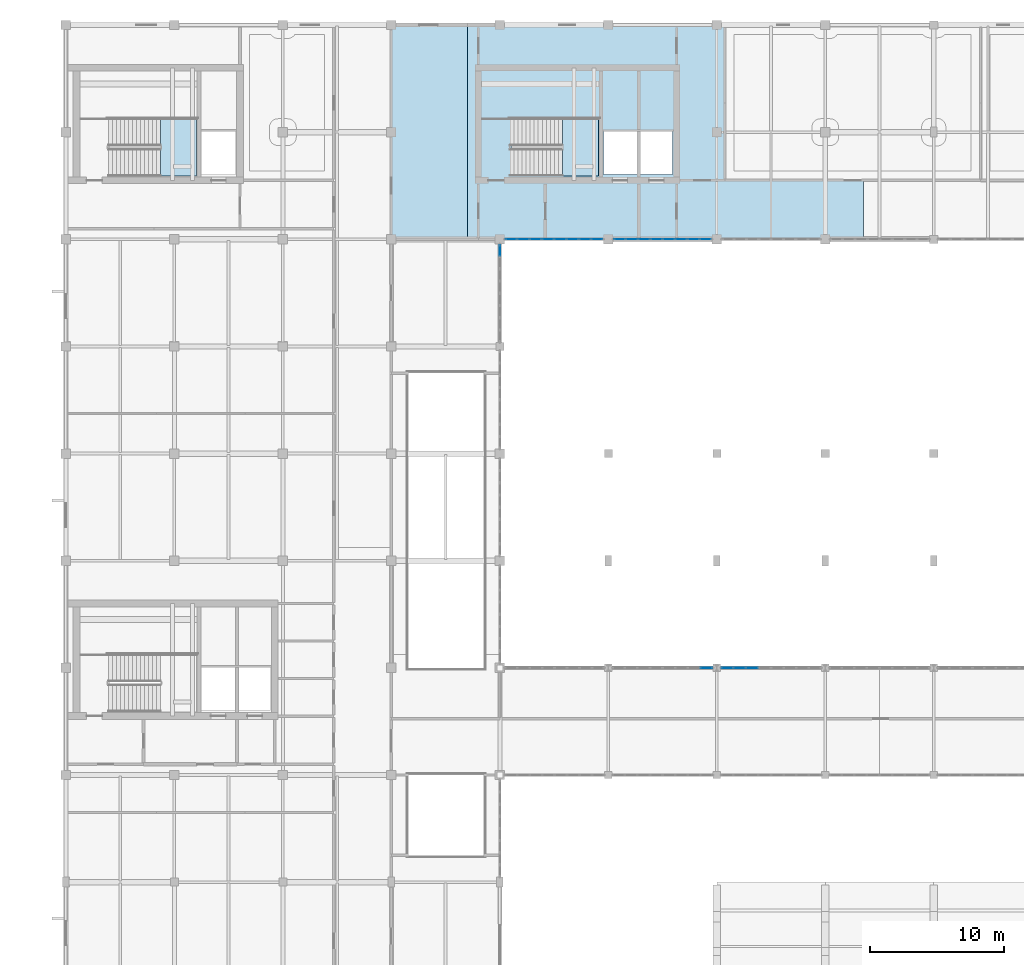
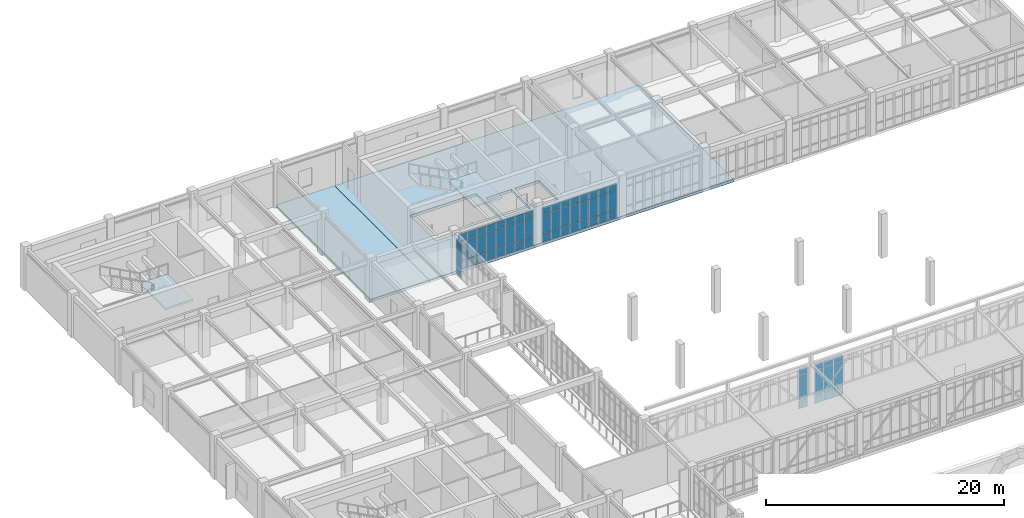
# One storey, part 41 of 67: 63 plates, 4 slabs, 7 elements without a shape of their own.
"""IFC4 building model written with IfcOpenShell, lengths in metres."""

from ifc_helpers import new_model, si_unit, direction, frame, origin, origin_2d, place, context, subcontext, project, spatial, polyline, rectangle, outline, extrude, material, layer, layer_set, type_object, element, aggregate, save


model = new_model("IFC4")

# Units and contexts
model_context = context("Model", 3, precision=1e-05, world=origin(), true_north=direction((0.0, 1.0)))
body_context = subcontext(model_context, "Body", "Model", "MODEL_VIEW")
ifc_project = project(units=[si_unit("LENGTHUNIT", "METRE"), si_unit("AREAUNIT", "SQUARE_METRE"), si_unit("VOLUMEUNIT", "CUBIC_METRE"), si_unit("PLANEANGLEUNIT", "RADIAN"), si_unit("MASSUNIT", "GRAM", prefix="KILO")], contexts=[model_context])

# Site, building, storey
site_placement = place(None, origin())
site = spatial("IfcSite", under=ifc_project, at=site_placement, CompositionType="ELEMENT")
building_placement = place(site_placement, origin())
building = spatial("IfcBuilding", under=site, at=building_placement, Name="Tarnveldt Square Police Headquarters", CompositionType="ELEMENT")
storey_placement = place(building_placement, frame((0.0, 0.0, 10.199951171875)))
storey = spatial("IfcBuildingStorey", under=building, at=storey_placement, Name="L02", CompositionType="ELEMENT", Elevation=10.199951171875)

# Curtain wall, plates
ifc_material_1 = material(Name="Triple-glazed low-e laminated vision glass", Category="glass")
curtain_wall_type_1 = type_object("IfcCurtainWallType", Name="CW-WG-732x373", PredefinedType="USERDEFINED", material=ifc_material_1)
curtain_wall_1_placement = place(storey_placement, origin())
curtain_wall_1 = element("IfcCurtainWall", 1, at=curtain_wall_1_placement, inside=storey, type_object=curtain_wall_type_1, Name="L02 Curtain Wall CW-L02-077", ObjectType="GLAZED CURTAIN WALL", PredefinedType="USERDEFINED")
ifc_layer_1 = layer(ifc_material_1, 0.028076171875)
ifc_layer_set_1 = layer_set([ifc_layer_1], Name="Triple-glazed low-e laminated vision glass")
plate_type = type_object("IfcPlateType", Name="CWP-VIS-28", PredefinedType="CURTAIN_PANEL", material=ifc_layer_set_1)
plate_1_placement = place(storey_placement, frame((48.60009765625, 95.15869140625, 0.074951171875), z_axis=(0.0, 0.0, 1.0), x_axis=(0.0, 1.0, 0.0)))
plate_1 = element("IfcPlate", 2, at=plate_1_placement, type_object=plate_type, Name="CW-WG37 panel 8.1", PredefinedType="CURTAIN_PANEL", context=body_context, shape_type="SweptSolid", body=[
    extrude(rectangle(XDim=0.802490234375, YDim=0.028076171875, at=origin_2d()), origin(), (0.0, 0.0, 1.0), 0.78759765625),
])
plate_2_placement = place(storey_placement, frame((48.60009765625, 95.15869140625, 0.9375), z_axis=(0.0, 0.0, 1.0), x_axis=(0.0, 1.0, 0.0)))
plate_2 = element("IfcPlate", 3, at=plate_2_placement, type_object=plate_type, Name="CW-WG37 panel 8.2", PredefinedType="CURTAIN_PANEL", context=body_context, shape_type="SweptSolid", body=[
    extrude(rectangle(XDim=0.802490234375, YDim=0.028076171875, at=origin_2d()), origin(), (0.0, 0.0, 1.0), 2.007080078125),
])
plate_3_placement = place(storey_placement, frame((48.60009765625, 95.15869140625, 3.01953125), z_axis=(0.0, 0.0, 1.0), x_axis=(0.0, 1.0, 0.0)))
plate_3 = element("IfcPlate", 4, at=plate_3_placement, type_object=plate_type, Name="CW-WG37 panel 8.3", PredefinedType="CURTAIN_PANEL", context=body_context, shape_type="SweptSolid", body=[
    extrude(rectangle(XDim=0.802490234375, YDim=0.028076171875, at=origin_2d()), origin(), (0.0, 0.0, 1.0), 0.637451171875),
])
aggregate(curtain_wall_1, [plate_1, plate_2, plate_3])

curtain_wall_type_2 = type_object("IfcCurtainWallType", Name="CW-LB-737x370", PredefinedType="USERDEFINED", material=ifc_material_1)
curtain_wall_2_placement = place(storey_placement, origin())
curtain_wall_2 = element("IfcCurtainWall", 5, at=curtain_wall_2_placement, inside=storey, type_object=curtain_wall_type_2, Name="L02 Curtain Wall CW-L02-112", ObjectType="GLAZED CURTAIN WALL", PredefinedType="USERDEFINED")
plate_4_placement = place(storey_placement, frame((49.4443359375, 96.0, 0.06494140625), z_axis=(0.0, 0.0, 1.0), x_axis=(1.0, 0.0, 0.0)))
plate_4 = element("IfcPlate", 6, at=plate_4_placement, type_object=plate_type, Name="CW-LB65 panel 1.1", PredefinedType="CURTAIN_PANEL", context=body_context, shape_type="SweptSolid", body=[
    extrude(rectangle(XDim=0.808837890625, YDim=0.028076171875, at=origin_2d()), origin(), (0.0, 0.0, 1.0), 0.802490234375),
])
plate_5_placement = place(storey_placement, frame((49.4443359375, 96.0, 0.9326171875), z_axis=(0.0, 0.0, 1.0), x_axis=(1.0, 0.0, 0.0)))
plate_5 = element("IfcPlate", 7, at=plate_5_placement, type_object=plate_type, Name="CW-LB65 panel 1.2", PredefinedType="CURTAIN_PANEL", context=body_context, shape_type="SweptSolid", body=[
    extrude(rectangle(XDim=0.808837890625, YDim=0.028076171875, at=origin_2d()), origin(), (0.0, 0.0, 1.0), 1.98388671875),
])
plate_6_placement = place(storey_placement, frame((49.4443359375, 96.0, 2.9814453125), z_axis=(0.0, 0.0, 1.0), x_axis=(1.0, 0.0, 0.0)))
plate_6 = element("IfcPlate", 8, at=plate_6_placement, type_object=plate_type, Name="CW-LB65 panel 1.3", PredefinedType="CURTAIN_PANEL", context=body_context, shape_type="SweptSolid", body=[
    extrude(rectangle(XDim=0.808837890625, YDim=0.028076171875, at=origin_2d()), origin(), (0.0, 0.0, 1.0), 0.652587890625),
])
plate_7_placement = place(storey_placement, frame((50.346923828125, 96.0, 0.06494140625), z_axis=(0.0, 0.0, 1.0), x_axis=(1.0, 0.0, 0.0)))
plate_7 = element("IfcPlate", 9, at=plate_7_placement, type_object=plate_type, Name="CW-LB65 panel 2.1", PredefinedType="CURTAIN_PANEL", context=body_context, shape_type="SweptSolid", body=[
    extrude(rectangle(XDim=0.84619140625, YDim=0.028076171875, at=origin_2d()), origin(), (0.0, 0.0, 1.0), 0.802490234375),
])
plate_8_placement = place(storey_placement, frame((50.346923828125, 96.0, 0.9326171875), z_axis=(0.0, 0.0, 1.0), x_axis=(1.0, 0.0, 0.0)))
plate_8 = element("IfcPlate", 10, at=plate_8_placement, type_object=plate_type, Name="CW-LB65 panel 2.2", PredefinedType="CURTAIN_PANEL", context=body_context, shape_type="SweptSolid", body=[
    extrude(rectangle(XDim=0.84619140625, YDim=0.028076171875, at=origin_2d()), origin(), (0.0, 0.0, 1.0), 1.98388671875),
])
plate_9_placement = place(storey_placement, frame((50.346923828125, 96.0, 2.9814453125), z_axis=(0.0, 0.0, 1.0), x_axis=(1.0, 0.0, 0.0)))
plate_9 = element("IfcPlate", 11, at=plate_9_placement, type_object=plate_type, Name="CW-LB65 panel 2.3", PredefinedType="CURTAIN_PANEL", context=body_context, shape_type="SweptSolid", body=[
    extrude(rectangle(XDim=0.84619140625, YDim=0.028076171875, at=origin_2d()), origin(), (0.0, 0.0, 1.0), 0.652587890625),
])
plate_10_placement = place(storey_placement, frame((51.26806640625, 96.0, 0.06494140625), z_axis=(0.0, 0.0, 1.0), x_axis=(1.0, 0.0, 0.0)))
plate_10 = element("IfcPlate", 12, at=plate_10_placement, type_object=plate_type, Name="CW-LB65 panel 3.1", PredefinedType="CURTAIN_PANEL", context=body_context, shape_type="SweptSolid", body=[
    extrude(rectangle(XDim=0.84619140625, YDim=0.028076171875, at=origin_2d()), origin(), (0.0, 0.0, 1.0), 0.802490234375),
])
plate_11_placement = place(storey_placement, frame((51.26806640625, 96.0, 0.9326171875), z_axis=(0.0, 0.0, 1.0), x_axis=(1.0, 0.0, 0.0)))
plate_11 = element("IfcPlate", 13, at=plate_11_placement, type_object=plate_type, Name="CW-LB65 panel 3.2", PredefinedType="CURTAIN_PANEL", context=body_context, shape_type="SweptSolid", body=[
    extrude(rectangle(XDim=0.84619140625, YDim=0.028076171875, at=origin_2d()), origin(), (0.0, 0.0, 1.0), 1.98388671875),
])
plate_12_placement = place(storey_placement, frame((51.26806640625, 96.0, 2.9814453125), z_axis=(0.0, 0.0, 1.0), x_axis=(1.0, 0.0, 0.0)))
plate_12 = element("IfcPlate", 14, at=plate_12_placement, type_object=plate_type, Name="CW-LB65 panel 3.3", PredefinedType="CURTAIN_PANEL", context=body_context, shape_type="SweptSolid", body=[
    extrude(rectangle(XDim=0.84619140625, YDim=0.028076171875, at=origin_2d()), origin(), (0.0, 0.0, 1.0), 0.652587890625),
])
plate_13_placement = place(storey_placement, frame((52.189453125, 96.0, 0.06494140625), z_axis=(0.0, 0.0, 1.0), x_axis=(1.0, 0.0, 0.0)))
plate_13 = element("IfcPlate", 15, at=plate_13_placement, type_object=plate_type, Name="CW-LB65 panel 4.1", PredefinedType="CURTAIN_PANEL", context=body_context, shape_type="SweptSolid", body=[
    extrude(rectangle(XDim=0.84619140625, YDim=0.028076171875, at=origin_2d()), origin(), (0.0, 0.0, 1.0), 0.802490234375),
])
plate_14_placement = place(storey_placement, frame((52.189453125, 96.0, 0.9326171875), z_axis=(0.0, 0.0, 1.0), x_axis=(1.0, 0.0, 0.0)))
plate_14 = element("IfcPlate", 16, at=plate_14_placement, type_object=plate_type, Name="CW-LB65 panel 4.2", PredefinedType="CURTAIN_PANEL", context=body_context, shape_type="SweptSolid", body=[
    extrude(rectangle(XDim=0.84619140625, YDim=0.028076171875, at=origin_2d()), origin(), (0.0, 0.0, 1.0), 1.98388671875),
])
plate_15_placement = place(storey_placement, frame((52.189453125, 96.0, 2.9814453125), z_axis=(0.0, 0.0, 1.0), x_axis=(1.0, 0.0, 0.0)))
plate_15 = element("IfcPlate", 17, at=plate_15_placement, type_object=plate_type, Name="CW-LB65 panel 4.3", PredefinedType="CURTAIN_PANEL", context=body_context, shape_type="SweptSolid", body=[
    extrude(rectangle(XDim=0.84619140625, YDim=0.028076171875, at=origin_2d()), origin(), (0.0, 0.0, 1.0), 0.652587890625),
])
plate_16_placement = place(storey_placement, frame((53.110595703125, 96.0, 0.06494140625), z_axis=(0.0, 0.0, 1.0), x_axis=(1.0, 0.0, 0.0)))
plate_16 = element("IfcPlate", 18, at=plate_16_placement, type_object=plate_type, Name="CW-LB65 panel 5.1", PredefinedType="CURTAIN_PANEL", context=body_context, shape_type="SweptSolid", body=[
    extrude(rectangle(XDim=0.84619140625, YDim=0.028076171875, at=origin_2d()), origin(), (0.0, 0.0, 1.0), 0.802490234375),
])
plate_17_placement = place(storey_placement, frame((53.110595703125, 96.0, 0.9326171875), z_axis=(0.0, 0.0, 1.0), x_axis=(1.0, 0.0, 0.0)))
plate_17 = element("IfcPlate", 19, at=plate_17_placement, type_object=plate_type, Name="CW-LB65 panel 5.2", PredefinedType="CURTAIN_PANEL", context=body_context, shape_type="SweptSolid", body=[
    extrude(rectangle(XDim=0.84619140625, YDim=0.028076171875, at=origin_2d()), origin(), (0.0, 0.0, 1.0), 1.98388671875),
])
plate_18_placement = place(storey_placement, frame((53.110595703125, 96.0, 2.9814453125), z_axis=(0.0, 0.0, 1.0), x_axis=(1.0, 0.0, 0.0)))
plate_18 = element("IfcPlate", 20, at=plate_18_placement, type_object=plate_type, Name="CW-LB65 panel 5.3", PredefinedType="CURTAIN_PANEL", context=body_context, shape_type="SweptSolid", body=[
    extrude(rectangle(XDim=0.84619140625, YDim=0.028076171875, at=origin_2d()), origin(), (0.0, 0.0, 1.0), 0.652587890625),
])
plate_19_placement = place(storey_placement, frame((54.031982421875, 96.0, 0.06494140625), z_axis=(0.0, 0.0, 1.0), x_axis=(1.0, 0.0, 0.0)))
plate_19 = element("IfcPlate", 21, at=plate_19_placement, type_object=plate_type, Name="CW-LB65 panel 6.1", PredefinedType="CURTAIN_PANEL", context=body_context, shape_type="SweptSolid", body=[
    extrude(rectangle(XDim=0.84619140625, YDim=0.028076171875, at=origin_2d()), origin(), (0.0, 0.0, 1.0), 0.802490234375),
])
plate_20_placement = place(storey_placement, frame((54.031982421875, 96.0, 0.9326171875), z_axis=(0.0, 0.0, 1.0), x_axis=(1.0, 0.0, 0.0)))
plate_20 = element("IfcPlate", 22, at=plate_20_placement, type_object=plate_type, Name="CW-LB65 panel 6.2", PredefinedType="CURTAIN_PANEL", context=body_context, shape_type="SweptSolid", body=[
    extrude(rectangle(XDim=0.84619140625, YDim=0.028076171875, at=origin_2d()), origin(), (0.0, 0.0, 1.0), 1.98388671875),
])
plate_21_placement = place(storey_placement, frame((54.031982421875, 96.0, 2.9814453125), z_axis=(0.0, 0.0, 1.0), x_axis=(1.0, 0.0, 0.0)))
plate_21 = element("IfcPlate", 23, at=plate_21_placement, type_object=plate_type, Name="CW-LB65 panel 6.3", PredefinedType="CURTAIN_PANEL", context=body_context, shape_type="SweptSolid", body=[
    extrude(rectangle(XDim=0.84619140625, YDim=0.028076171875, at=origin_2d()), origin(), (0.0, 0.0, 1.0), 0.652587890625),
])
plate_22_placement = place(storey_placement, frame((54.953125, 96.0, 0.06494140625), z_axis=(0.0, 0.0, 1.0), x_axis=(1.0, 0.0, 0.0)))
plate_22 = element("IfcPlate", 24, at=plate_22_placement, type_object=plate_type, Name="CW-LB65 panel 7.1", PredefinedType="CURTAIN_PANEL", context=body_context, shape_type="SweptSolid", body=[
    extrude(rectangle(XDim=0.84619140625, YDim=0.028076171875, at=origin_2d()), origin(), (0.0, 0.0, 1.0), 0.802490234375),
])
plate_23_placement = place(storey_placement, frame((54.953125, 96.0, 0.9326171875), z_axis=(0.0, 0.0, 1.0), x_axis=(1.0, 0.0, 0.0)))
plate_23 = element("IfcPlate", 25, at=plate_23_placement, type_object=plate_type, Name="CW-LB65 panel 7.2", PredefinedType="CURTAIN_PANEL", context=body_context, shape_type="SweptSolid", body=[
    extrude(rectangle(XDim=0.84619140625, YDim=0.028076171875, at=origin_2d()), origin(), (0.0, 0.0, 1.0), 1.98388671875),
])
plate_24_placement = place(storey_placement, frame((54.953125, 96.0, 2.9814453125), z_axis=(0.0, 0.0, 1.0), x_axis=(1.0, 0.0, 0.0)))
plate_24 = element("IfcPlate", 26, at=plate_24_placement, type_object=plate_type, Name="CW-LB65 panel 7.3", PredefinedType="CURTAIN_PANEL", context=body_context, shape_type="SweptSolid", body=[
    extrude(rectangle(XDim=0.84619140625, YDim=0.028076171875, at=origin_2d()), origin(), (0.0, 0.0, 1.0), 0.652587890625),
])
plate_25_placement = place(storey_placement, frame((55.855712890625, 96.0, 0.06494140625), z_axis=(0.0, 0.0, 1.0), x_axis=(1.0, 0.0, 0.0)))
plate_25 = element("IfcPlate", 27, at=plate_25_placement, type_object=plate_type, Name="CW-LB65 panel 8.1", PredefinedType="CURTAIN_PANEL", context=body_context, shape_type="SweptSolid", body=[
    extrude(rectangle(XDim=0.808837890625, YDim=0.028076171875, at=origin_2d()), origin(), (0.0, 0.0, 1.0), 0.802490234375),
])
plate_26_placement = place(storey_placement, frame((55.855712890625, 96.0, 0.9326171875), z_axis=(0.0, 0.0, 1.0), x_axis=(1.0, 0.0, 0.0)))
plate_26 = element("IfcPlate", 28, at=plate_26_placement, type_object=plate_type, Name="CW-LB65 panel 8.2", PredefinedType="CURTAIN_PANEL", context=body_context, shape_type="SweptSolid", body=[
    extrude(rectangle(XDim=0.808837890625, YDim=0.028076171875, at=origin_2d()), origin(), (0.0, 0.0, 1.0), 1.98388671875),
])
plate_27_placement = place(storey_placement, frame((55.855712890625, 96.0, 2.9814453125), z_axis=(0.0, 0.0, 1.0), x_axis=(1.0, 0.0, 0.0)))
plate_27 = element("IfcPlate", 29, at=plate_27_placement, type_object=plate_type, Name="CW-LB65 panel 8.3", PredefinedType="CURTAIN_PANEL", context=body_context, shape_type="SweptSolid", body=[
    extrude(rectangle(XDim=0.808837890625, YDim=0.028076171875, at=origin_2d()), origin(), (0.0, 0.0, 1.0), 0.652587890625),
])
aggregate(curtain_wall_2, [plate_4, plate_5, plate_6, plate_7, plate_8, plate_9, plate_10, plate_11, plate_12, plate_13, plate_14, plate_15, plate_16, plate_17, plate_18, plate_19, plate_20, plate_21, plate_22, plate_23, plate_24, plate_25, plate_26, plate_27])

curtain_wall_type_3 = type_object("IfcCurtainWallType", Name="CW-LB-737x363", PredefinedType="USERDEFINED", material=ifc_material_1)
curtain_wall_3_placement = place(storey_placement, origin())
curtain_wall_3 = element("IfcCurtainWall", 30, at=curtain_wall_3_placement, inside=storey, type_object=curtain_wall_type_3, Name="L02 Curtain Wall CW-L02-113", ObjectType="GLAZED CURTAIN WALL", PredefinedType="USERDEFINED")
plate_28_placement = place(storey_placement, frame((57.54443359375, 96.0, 0.06494140625), z_axis=(0.0, 0.0, 1.0), x_axis=(1.0, 0.0, 0.0)))
plate_28 = element("IfcPlate", 31, at=plate_28_placement, type_object=plate_type, Name="CW-LB66 panel 1.1", PredefinedType="CURTAIN_PANEL", context=body_context, shape_type="SweptSolid", body=[
    extrude(rectangle(XDim=0.808837890625, YDim=0.028076171875, at=origin_2d()), origin(), (0.0, 0.0, 1.0), 0.802490234375),
])
plate_29_placement = place(storey_placement, frame((57.54443359375, 96.0, 0.9326171875), z_axis=(0.0, 0.0, 1.0), x_axis=(1.0, 0.0, 0.0)))
plate_29 = element("IfcPlate", 32, at=plate_29_placement, type_object=plate_type, Name="CW-LB66 panel 1.2", PredefinedType="CURTAIN_PANEL", context=body_context, shape_type="SweptSolid", body=[
    extrude(rectangle(XDim=0.808837890625, YDim=0.028076171875, at=origin_2d()), origin(), (0.0, 0.0, 1.0), 1.9169921875),
])
plate_30_placement = place(storey_placement, frame((57.54443359375, 96.0, 2.91455078125), z_axis=(0.0, 0.0, 1.0), x_axis=(1.0, 0.0, 0.0)))
plate_30 = element("IfcPlate", 33, at=plate_30_placement, type_object=plate_type, Name="CW-LB66 panel 1.3", PredefinedType="CURTAIN_PANEL", context=body_context, shape_type="SweptSolid", body=[
    extrude(rectangle(XDim=0.808837890625, YDim=0.028076171875, at=origin_2d()), origin(), (0.0, 0.0, 1.0), 0.652587890625),
])
plate_31_placement = place(storey_placement, frame((58.44677734375, 96.0, 0.06494140625), z_axis=(0.0, 0.0, 1.0), x_axis=(1.0, 0.0, 0.0)))
plate_31 = element("IfcPlate", 34, at=plate_31_placement, type_object=plate_type, Name="CW-LB66 panel 2.1", PredefinedType="CURTAIN_PANEL", context=body_context, shape_type="SweptSolid", body=[
    extrude(rectangle(XDim=0.84619140625, YDim=0.028076171875, at=origin_2d()), origin(), (0.0, 0.0, 1.0), 0.802490234375),
])
plate_32_placement = place(storey_placement, frame((58.44677734375, 96.0, 0.9326171875), z_axis=(0.0, 0.0, 1.0), x_axis=(1.0, 0.0, 0.0)))
plate_32 = element("IfcPlate", 35, at=plate_32_placement, type_object=plate_type, Name="CW-LB66 panel 2.2", PredefinedType="CURTAIN_PANEL", context=body_context, shape_type="SweptSolid", body=[
    extrude(rectangle(XDim=0.84619140625, YDim=0.028076171875, at=origin_2d()), origin(), (0.0, 0.0, 1.0), 1.9169921875),
])
plate_33_placement = place(storey_placement, frame((58.44677734375, 96.0, 2.91455078125), z_axis=(0.0, 0.0, 1.0), x_axis=(1.0, 0.0, 0.0)))
plate_33 = element("IfcPlate", 36, at=plate_33_placement, type_object=plate_type, Name="CW-LB66 panel 2.3", PredefinedType="CURTAIN_PANEL", context=body_context, shape_type="SweptSolid", body=[
    extrude(rectangle(XDim=0.84619140625, YDim=0.028076171875, at=origin_2d()), origin(), (0.0, 0.0, 1.0), 0.652587890625),
])
plate_34_placement = place(storey_placement, frame((59.3681640625, 96.0, 0.06494140625), z_axis=(0.0, 0.0, 1.0), x_axis=(1.0, 0.0, 0.0)))
plate_34 = element("IfcPlate", 37, at=plate_34_placement, type_object=plate_type, Name="CW-LB66 panel 3.1", PredefinedType="CURTAIN_PANEL", context=body_context, shape_type="SweptSolid", body=[
    extrude(rectangle(XDim=0.84619140625, YDim=0.028076171875, at=origin_2d()), origin(), (0.0, 0.0, 1.0), 0.802490234375),
])
plate_35_placement = place(storey_placement, frame((59.3681640625, 96.0, 0.9326171875), z_axis=(0.0, 0.0, 1.0), x_axis=(1.0, 0.0, 0.0)))
plate_35 = element("IfcPlate", 38, at=plate_35_placement, type_object=plate_type, Name="CW-LB66 panel 3.2", PredefinedType="CURTAIN_PANEL", context=body_context, shape_type="SweptSolid", body=[
    extrude(rectangle(XDim=0.84619140625, YDim=0.028076171875, at=origin_2d()), origin(), (0.0, 0.0, 1.0), 1.9169921875),
])
plate_36_placement = place(storey_placement, frame((59.3681640625, 96.0, 2.91455078125), z_axis=(0.0, 0.0, 1.0), x_axis=(1.0, 0.0, 0.0)))
plate_36 = element("IfcPlate", 39, at=plate_36_placement, type_object=plate_type, Name="CW-LB66 panel 3.3", PredefinedType="CURTAIN_PANEL", context=body_context, shape_type="SweptSolid", body=[
    extrude(rectangle(XDim=0.84619140625, YDim=0.028076171875, at=origin_2d()), origin(), (0.0, 0.0, 1.0), 0.652587890625),
])
plate_37_placement = place(storey_placement, frame((60.289306640625, 96.0, 0.06494140625), z_axis=(0.0, 0.0, 1.0), x_axis=(1.0, 0.0, 0.0)))
plate_37 = element("IfcPlate", 40, at=plate_37_placement, type_object=plate_type, Name="CW-LB66 panel 4.1", PredefinedType="CURTAIN_PANEL", context=body_context, shape_type="SweptSolid", body=[
    extrude(rectangle(XDim=0.84619140625, YDim=0.028076171875, at=origin_2d()), origin(), (0.0, 0.0, 1.0), 0.802490234375),
])
plate_38_placement = place(storey_placement, frame((60.289306640625, 96.0, 0.9326171875), z_axis=(0.0, 0.0, 1.0), x_axis=(1.0, 0.0, 0.0)))
plate_38 = element("IfcPlate", 41, at=plate_38_placement, type_object=plate_type, Name="CW-LB66 panel 4.2", PredefinedType="CURTAIN_PANEL", context=body_context, shape_type="SweptSolid", body=[
    extrude(rectangle(XDim=0.84619140625, YDim=0.028076171875, at=origin_2d()), origin(), (0.0, 0.0, 1.0), 1.9169921875),
])
plate_39_placement = place(storey_placement, frame((60.289306640625, 96.0, 2.91455078125), z_axis=(0.0, 0.0, 1.0), x_axis=(1.0, 0.0, 0.0)))
plate_39 = element("IfcPlate", 42, at=plate_39_placement, type_object=plate_type, Name="CW-LB66 panel 4.3", PredefinedType="CURTAIN_PANEL", context=body_context, shape_type="SweptSolid", body=[
    extrude(rectangle(XDim=0.84619140625, YDim=0.028076171875, at=origin_2d()), origin(), (0.0, 0.0, 1.0), 0.652587890625),
])
plate_40_placement = place(storey_placement, frame((61.210693359375, 96.0, 0.06494140625), z_axis=(0.0, 0.0, 1.0), x_axis=(1.0, 0.0, 0.0)))
plate_40 = element("IfcPlate", 43, at=plate_40_placement, type_object=plate_type, Name="CW-LB66 panel 5.1", PredefinedType="CURTAIN_PANEL", context=body_context, shape_type="SweptSolid", body=[
    extrude(rectangle(XDim=0.84619140625, YDim=0.028076171875, at=origin_2d()), origin(), (0.0, 0.0, 1.0), 0.802490234375),
])
plate_41_placement = place(storey_placement, frame((61.210693359375, 96.0, 0.9326171875), z_axis=(0.0, 0.0, 1.0), x_axis=(1.0, 0.0, 0.0)))
plate_41 = element("IfcPlate", 44, at=plate_41_placement, type_object=plate_type, Name="CW-LB66 panel 5.2", PredefinedType="CURTAIN_PANEL", context=body_context, shape_type="SweptSolid", body=[
    extrude(rectangle(XDim=0.84619140625, YDim=0.028076171875, at=origin_2d()), origin(), (0.0, 0.0, 1.0), 1.9169921875),
])
plate_42_placement = place(storey_placement, frame((61.210693359375, 96.0, 2.91455078125), z_axis=(0.0, 0.0, 1.0), x_axis=(1.0, 0.0, 0.0)))
plate_42 = element("IfcPlate", 45, at=plate_42_placement, type_object=plate_type, Name="CW-LB66 panel 5.3", PredefinedType="CURTAIN_PANEL", context=body_context, shape_type="SweptSolid", body=[
    extrude(rectangle(XDim=0.84619140625, YDim=0.028076171875, at=origin_2d()), origin(), (0.0, 0.0, 1.0), 0.652587890625),
])
plate_43_placement = place(storey_placement, frame((62.1318359375, 96.0, 0.06494140625), z_axis=(0.0, 0.0, 1.0), x_axis=(1.0, 0.0, 0.0)))
plate_43 = element("IfcPlate", 46, at=plate_43_placement, type_object=plate_type, Name="CW-LB66 panel 6.1", PredefinedType="CURTAIN_PANEL", context=body_context, shape_type="SweptSolid", body=[
    extrude(rectangle(XDim=0.84619140625, YDim=0.028076171875, at=origin_2d()), origin(), (0.0, 0.0, 1.0), 0.802490234375),
])
plate_44_placement = place(storey_placement, frame((62.1318359375, 96.0, 0.9326171875), z_axis=(0.0, 0.0, 1.0), x_axis=(1.0, 0.0, 0.0)))
plate_44 = element("IfcPlate", 47, at=plate_44_placement, type_object=plate_type, Name="CW-LB66 panel 6.2", PredefinedType="CURTAIN_PANEL", context=body_context, shape_type="SweptSolid", body=[
    extrude(rectangle(XDim=0.84619140625, YDim=0.028076171875, at=origin_2d()), origin(), (0.0, 0.0, 1.0), 1.9169921875),
])
plate_45_placement = place(storey_placement, frame((62.1318359375, 96.0, 2.91455078125), z_axis=(0.0, 0.0, 1.0), x_axis=(1.0, 0.0, 0.0)))
plate_45 = element("IfcPlate", 48, at=plate_45_placement, type_object=plate_type, Name="CW-LB66 panel 6.3", PredefinedType="CURTAIN_PANEL", context=body_context, shape_type="SweptSolid", body=[
    extrude(rectangle(XDim=0.84619140625, YDim=0.028076171875, at=origin_2d()), origin(), (0.0, 0.0, 1.0), 0.652587890625),
])
plate_46_placement = place(storey_placement, frame((63.05322265625, 96.0, 0.06494140625), z_axis=(0.0, 0.0, 1.0), x_axis=(1.0, 0.0, 0.0)))
plate_46 = element("IfcPlate", 49, at=plate_46_placement, type_object=plate_type, Name="CW-LB66 panel 7.1", PredefinedType="CURTAIN_PANEL", context=body_context, shape_type="SweptSolid", body=[
    extrude(rectangle(XDim=0.84619140625, YDim=0.028076171875, at=origin_2d()), origin(), (0.0, 0.0, 1.0), 0.802490234375),
])
plate_47_placement = place(storey_placement, frame((63.05322265625, 96.0, 0.9326171875), z_axis=(0.0, 0.0, 1.0), x_axis=(1.0, 0.0, 0.0)))
plate_47 = element("IfcPlate", 50, at=plate_47_placement, type_object=plate_type, Name="CW-LB66 panel 7.2", PredefinedType="CURTAIN_PANEL", context=body_context, shape_type="SweptSolid", body=[
    extrude(rectangle(XDim=0.84619140625, YDim=0.028076171875, at=origin_2d()), origin(), (0.0, 0.0, 1.0), 1.9169921875),
])
plate_48_placement = place(storey_placement, frame((63.05322265625, 96.0, 2.91455078125), z_axis=(0.0, 0.0, 1.0), x_axis=(1.0, 0.0, 0.0)))
plate_48 = element("IfcPlate", 51, at=plate_48_placement, type_object=plate_type, Name="CW-LB66 panel 7.3", PredefinedType="CURTAIN_PANEL", context=body_context, shape_type="SweptSolid", body=[
    extrude(rectangle(XDim=0.84619140625, YDim=0.028076171875, at=origin_2d()), origin(), (0.0, 0.0, 1.0), 0.652587890625),
])
plate_49_placement = place(storey_placement, frame((63.95556640625, 96.0, 0.06494140625), z_axis=(0.0, 0.0, 1.0), x_axis=(1.0, 0.0, 0.0)))
plate_49 = element("IfcPlate", 52, at=plate_49_placement, type_object=plate_type, Name="CW-LB66 panel 8.1", PredefinedType="CURTAIN_PANEL", context=body_context, shape_type="SweptSolid", body=[
    extrude(rectangle(XDim=0.808837890625, YDim=0.028076171875, at=origin_2d()), origin(), (0.0, 0.0, 1.0), 0.802490234375),
])
plate_50_placement = place(storey_placement, frame((63.95556640625, 96.0, 0.9326171875), z_axis=(0.0, 0.0, 1.0), x_axis=(1.0, 0.0, 0.0)))
plate_50 = element("IfcPlate", 53, at=plate_50_placement, type_object=plate_type, Name="CW-LB66 panel 8.2", PredefinedType="CURTAIN_PANEL", context=body_context, shape_type="SweptSolid", body=[
    extrude(rectangle(XDim=0.808837890625, YDim=0.028076171875, at=origin_2d()), origin(), (0.0, 0.0, 1.0), 1.9169921875),
])
plate_51_placement = place(storey_placement, frame((63.95556640625, 96.0, 2.91455078125), z_axis=(0.0, 0.0, 1.0), x_axis=(1.0, 0.0, 0.0)))
plate_51 = element("IfcPlate", 54, at=plate_51_placement, type_object=plate_type, Name="CW-LB66 panel 8.3", PredefinedType="CURTAIN_PANEL", context=body_context, shape_type="SweptSolid", body=[
    extrude(rectangle(XDim=0.808837890625, YDim=0.028076171875, at=origin_2d()), origin(), (0.0, 0.0, 1.0), 0.652587890625),
])
aggregate(curtain_wall_3, [plate_28, plate_29, plate_30, plate_31, plate_32, plate_33, plate_34, plate_35, plate_36, plate_37, plate_38, plate_39, plate_40, plate_41, plate_42, plate_43, plate_44, plate_45, plate_46, plate_47, plate_48, plate_49, plate_50, plate_51])

curtain_wall_type_4 = type_object("IfcCurtainWallType", Name="CW-SB-752x424", PredefinedType="USERDEFINED", material=ifc_material_1)
curtain_wall_4_placement = place(storey_placement, origin())
curtain_wall_4 = element("IfcCurtainWall", 55, at=curtain_wall_4_placement, inside=storey, type_object=curtain_wall_type_4, Name="L02 Curtain Wall CW-L02-146", ObjectType="GLAZED CURTAIN WALL", PredefinedType="USERDEFINED")
plate_52_placement = place(storey_placement, frame((64.023681640625, 64.0, 0.06494140625), z_axis=(0.0, 0.0, 1.0), x_axis=(1.0, 0.0, 0.0)))
plate_52 = element("IfcPlate", 56, at=plate_52_placement, type_object=plate_type, Name="CW-SB86 panel 8.1", PredefinedType="CURTAIN_PANEL", context=body_context, shape_type="SweptSolid", body=[
    extrude(rectangle(XDim=0.842529296875, YDim=0.028076171875, at=origin_2d()), origin(), (0.0, 0.0, 1.0), 0.802490234375),
])
plate_53_placement = place(storey_placement, frame((64.023681640625, 64.0, 0.9326171875), z_axis=(0.0, 0.0, 1.0), x_axis=(1.0, 0.0, 0.0)))
plate_53 = element("IfcPlate", 57, at=plate_53_placement, type_object=plate_type, Name="CW-SB86 panel 8.2", PredefinedType="CURTAIN_PANEL", context=body_context, shape_type="SweptSolid", body=[
    extrude(rectangle(XDim=0.842529296875, YDim=0.028076171875, at=origin_2d()), origin(), (0.0, 0.0, 1.0), 2.52490234375),
])
plate_54_placement = place(storey_placement, frame((64.023681640625, 64.0, 3.5224609375), z_axis=(0.0, 0.0, 1.0), x_axis=(1.0, 0.0, 0.0)))
plate_54 = element("IfcPlate", 58, at=plate_54_placement, type_object=plate_type, Name="CW-SB86 panel 8.3", PredefinedType="CURTAIN_PANEL", context=body_context, shape_type="SweptSolid", body=[
    extrude(rectangle(XDim=0.842529296875, YDim=0.028076171875, at=origin_2d()), origin(), (0.0, 0.0, 1.0), 0.652587890625),
])
aggregate(curtain_wall_4, [plate_52, plate_53, plate_54])

curtain_wall_5_placement = place(storey_placement, origin())
curtain_wall_5 = element("IfcCurtainWall", 59, at=curtain_wall_5_placement, inside=storey, type_object=curtain_wall_type_4, Name="L02 Curtain Wall CW-L02-147", ObjectType="GLAZED CURTAIN WALL", PredefinedType="USERDEFINED")
plate_55_placement = place(storey_placement, frame((65.576171875, 64.0, 0.06494140625), z_axis=(0.0, 0.0, 1.0), x_axis=(1.0, 0.0, 0.0)))
plate_55 = element("IfcPlate", 60, at=plate_55_placement, type_object=plate_type, Name="CW-SB86 panel 1.1", PredefinedType="CURTAIN_PANEL", context=body_context, shape_type="SweptSolid", body=[
    extrude(rectangle(XDim=0.842529296875, YDim=0.028076171875, at=origin_2d()), origin(), (0.0, 0.0, 1.0), 0.802490234375),
])
plate_56_placement = place(storey_placement, frame((65.576171875, 64.0, 0.9326171875), z_axis=(0.0, 0.0, 1.0), x_axis=(1.0, 0.0, 0.0)))
plate_56 = element("IfcPlate", 61, at=plate_56_placement, type_object=plate_type, Name="CW-SB86 panel 1.2", PredefinedType="CURTAIN_PANEL", context=body_context, shape_type="SweptSolid", body=[
    extrude(rectangle(XDim=0.842529296875, YDim=0.028076171875, at=origin_2d()), origin(), (0.0, 0.0, 1.0), 2.52490234375),
])
plate_57_placement = place(storey_placement, frame((65.576171875, 64.0, 3.5224609375), z_axis=(0.0, 0.0, 1.0), x_axis=(1.0, 0.0, 0.0)))
plate_57 = element("IfcPlate", 62, at=plate_57_placement, type_object=plate_type, Name="CW-SB86 panel 1.3", PredefinedType="CURTAIN_PANEL", context=body_context, shape_type="SweptSolid", body=[
    extrude(rectangle(XDim=0.842529296875, YDim=0.028076171875, at=origin_2d()), origin(), (0.0, 0.0, 1.0), 0.652587890625),
])
plate_58_placement = place(storey_placement, frame((66.5, 64.0, 0.06494140625), z_axis=(0.0, 0.0, 1.0), x_axis=(1.0, 0.0, 0.0)))
plate_58 = element("IfcPlate", 63, at=plate_58_placement, type_object=plate_type, Name="CW-SB86 panel 2.1", PredefinedType="CURTAIN_PANEL", context=body_context, shape_type="SweptSolid", body=[
    extrude(rectangle(XDim=0.875, YDim=0.028076171875, at=origin_2d()), origin(), (0.0, 0.0, 1.0), 0.802490234375),
])
plate_59_placement = place(storey_placement, frame((66.5, 64.0, 0.9326171875), z_axis=(0.0, 0.0, 1.0), x_axis=(1.0, 0.0, 0.0)))
plate_59 = element("IfcPlate", 64, at=plate_59_placement, type_object=plate_type, Name="CW-SB86 panel 2.2", PredefinedType="CURTAIN_PANEL", context=body_context, shape_type="SweptSolid", body=[
    extrude(rectangle(XDim=0.875, YDim=0.028076171875, at=origin_2d()), origin(), (0.0, 0.0, 1.0), 2.52490234375),
])
plate_60_placement = place(storey_placement, frame((66.5, 64.0, 3.5224609375), z_axis=(0.0, 0.0, 1.0), x_axis=(1.0, 0.0, 0.0)))
plate_60 = element("IfcPlate", 65, at=plate_60_placement, type_object=plate_type, Name="CW-SB86 panel 2.3", PredefinedType="CURTAIN_PANEL", context=body_context, shape_type="SweptSolid", body=[
    extrude(rectangle(XDim=0.875, YDim=0.028076171875, at=origin_2d()), origin(), (0.0, 0.0, 1.0), 0.652587890625),
])
plate_61_placement = place(storey_placement, frame((67.43994140625, 64.0, 0.06494140625), z_axis=(0.0, 0.0, 1.0), x_axis=(1.0, 0.0, 0.0)))
plate_61 = element("IfcPlate", 66, at=plate_61_placement, type_object=plate_type, Name="CW-SB86 panel 3.1", PredefinedType="CURTAIN_PANEL", context=body_context, shape_type="SweptSolid", body=[
    extrude(rectangle(XDim=0.875, YDim=0.028076171875, at=origin_2d()), origin(), (0.0, 0.0, 1.0), 0.802490234375),
])
plate_62_placement = place(storey_placement, frame((67.43994140625, 64.0, 0.9326171875), z_axis=(0.0, 0.0, 1.0), x_axis=(1.0, 0.0, 0.0)))
plate_62 = element("IfcPlate", 67, at=plate_62_placement, type_object=plate_type, Name="CW-SB86 panel 3.2", PredefinedType="CURTAIN_PANEL", context=body_context, shape_type="SweptSolid", body=[
    extrude(rectangle(XDim=0.875, YDim=0.028076171875, at=origin_2d()), origin(), (0.0, 0.0, 1.0), 2.52490234375),
])
plate_63_placement = place(storey_placement, frame((67.43994140625, 64.0, 3.5224609375), z_axis=(0.0, 0.0, 1.0), x_axis=(1.0, 0.0, 0.0)))
plate_63 = element("IfcPlate", 68, at=plate_63_placement, type_object=plate_type, Name="CW-SB86 panel 3.3", PredefinedType="CURTAIN_PANEL", context=body_context, shape_type="SweptSolid", body=[
    extrude(rectangle(XDim=0.875, YDim=0.028076171875, at=origin_2d()), origin(), (0.0, 0.0, 1.0), 0.652587890625),
])
aggregate(curtain_wall_5, [plate_55, plate_56, plate_57, plate_58, plate_59, plate_60, plate_61, plate_62, plate_63])

# Stair, slab
ifc_material_2 = material(Name="Concrete 40 MPa", Category="concrete")
stair_type = type_object("IfcStairType", Name="STR-HT-48A", PredefinedType="HALF_TURN_STAIR", material=ifc_material_2)
stair_1_placement = place(storey_placement, origin())
stair_1 = element("IfcStair", 69, at=stair_1_placement, inside=storey, type_object=stair_type, Name="L02 Core K2 Exit Stair ST2", PredefinedType="HALF_TURN_STAIR")
ifc_layer_2 = layer(ifc_material_2, 0.179931640625)
ifc_layer_set_2 = layer_set([ifc_layer_2], Name="Concrete 40 MPa")
slab_type_1 = type_object("IfcSlabType", Name="SL-LND-180", PredefinedType="LANDING", material=ifc_layer_set_2)
slab_1_placement = place(storey_placement, frame((0.0, 0.0, 2.050048828125)))
slab_1 = element("IfcSlab", 70, at=slab_1_placement, type_object=slab_type_1, Name="ST2 landing 1", PredefinedType="LANDING", context=body_context, shape_type="SweptSolid", body=[
    extrude(outline(polyline([(23.27001953125, 100.719970703125), (25.969970703125, 100.719970703125), (25.969970703125, 105.02001953125), (23.27001953125, 105.02001953125), (23.27001953125, 100.719970703125)])), origin(), (0.0, 0.0, 1.0), 0.199951171875),
])
aggregate(stair_1, [slab_1])

stair_2_placement = place(storey_placement, origin())
stair_2 = element("IfcStair", 71, at=stair_2_placement, inside=storey, type_object=stair_type, Name="L02 Core K3 Exit Stair ST3", PredefinedType="HALF_TURN_STAIR")
slab_2_placement = place(storey_placement, frame((0.0, 0.0, 2.050048828125)))
slab_2 = element("IfcSlab", 72, at=slab_2_placement, type_object=slab_type_1, Name="ST3 landing 1", PredefinedType="LANDING", context=body_context, shape_type="SweptSolid", body=[
    extrude(outline(polyline([(53.27001953125, 100.719970703125), (55.969970703125, 100.719970703125), (55.969970703125, 105.02001953125), (53.27001953125, 105.02001953125), (53.27001953125, 100.719970703125)])), origin(), (0.0, 0.0, 1.0), 0.199951171875),
])
aggregate(stair_2, [slab_2])

# Slabs
ifc_layer_3 = layer(ifc_material_2, 0.280029296875)
ifc_layer_set_3 = layer_set([ifc_layer_3], Name="Concrete 40 MPa")
slab_type_2 = type_object("IfcSlabType", Name="SL-POD-280", PredefinedType="FLOOR", material=ifc_layer_set_3)
slab_3_placement = place(storey_placement, frame((0.0, 0.0, -0.280029296875)))
element("IfcSlab", 73, at=slab_3_placement, inside=storey, type_object=slab_type_2, Name="L02 Structural Floor Slab L02-V6-1", PredefinedType="FLOOR", context=body_context, shape_type="SweptSolid", body=[
    extrude(outline(polyline([(75.75, 112.0), (75.75, 96.0), (46.199951171875, 96.0), (46.199951171875, 112.0), (75.75, 112.0)]), holes=[polyline([(56.330078125, 104.050048828125), (56.330078125, 100.85009765625), (58.8349609375, 100.85009765625), (58.8349609375, 104.050048828125), (56.330078125, 104.050048828125)]), polyline([(59.114990234375, 104.050048828125), (59.114990234375, 100.85009765625), (61.47998046875, 100.85009765625), (61.47998046875, 104.050048828125), (59.114990234375, 104.050048828125)]), polyline([(49.510009765625, 105.02001953125), (49.510009765625, 100.719970703125), (55.969970703125, 100.719970703125), (55.969970703125, 105.02001953125), (49.510009765625, 105.02001953125)])]), origin(), (0.0, 0.0, 1.0), 0.280029296875),
])
slab_4_placement = place(storey_placement, frame((0.0, 0.0, -0.280029296875)))
element("IfcSlab", 74, at=slab_4_placement, inside=storey, type_object=slab_type_2, Name="L02 Structural Floor Slab L02-V5N-1", PredefinedType="FLOOR", context=body_context, shape_type="SweptSolid", body=[
    extrude(outline(polyline([(40.5, 96.0), (40.5, 112.0), (46.199951171875, 112.0), (46.199951171875, 96.0), (40.5, 96.0)])), origin(), (0.0, 0.0, 1.0), 0.280029296875),
])

save(model, "model.ifc")
